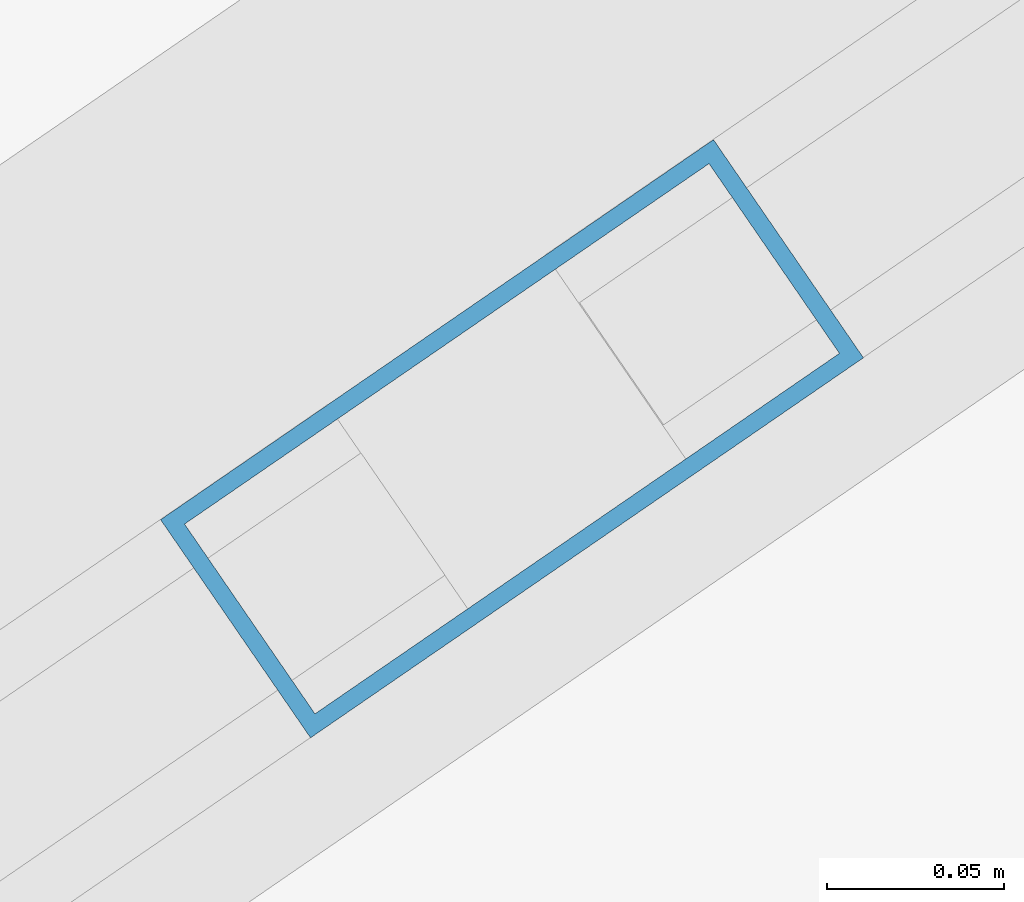
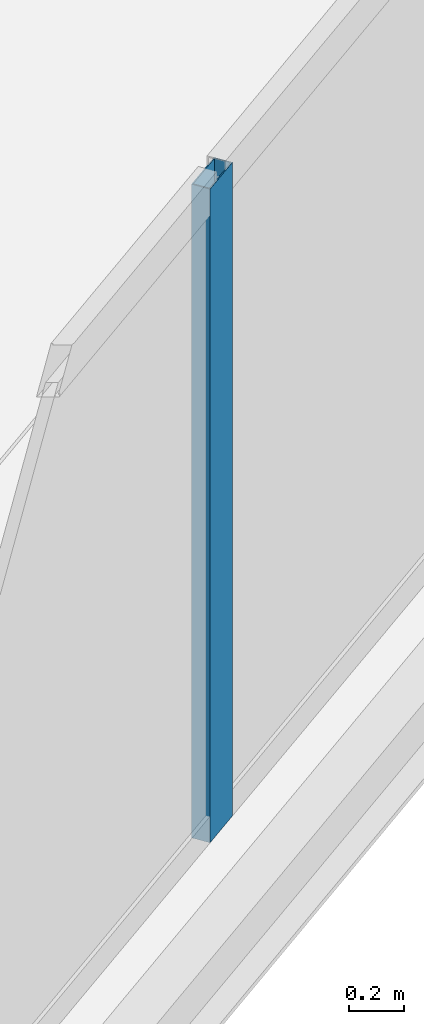
# One storey, part 6 of 29: 1 member, 1 element without a shape of its own.
"""IFC4 building model written with IfcOpenShell, lengths in metres."""

from ifc_helpers import new_model, si_unit, direction, frame, origin, origin_2d, place, context, subcontext, project, spatial, hollow_rectangle, extrude, material, material_profile, profile_set, type_object, element, aggregate, save


model = new_model("IFC4")

# Units and contexts
model_context = context("Model", 3, precision=1e-05, world=origin(), true_north=direction((0.0, 1.0)))
body_context = subcontext(model_context, "Body", "Model", "MODEL_VIEW")
ifc_project = project(units=[si_unit("LENGTHUNIT", "METRE"), si_unit("AREAUNIT", "SQUARE_METRE"), si_unit("VOLUMEUNIT", "CUBIC_METRE"), si_unit("PLANEANGLEUNIT", "RADIAN"), si_unit("MASSUNIT", "GRAM", prefix="KILO")], contexts=[model_context])

# Site, building, storey
site_placement = place(None, origin())
site = spatial("IfcSite", under=ifc_project, at=site_placement, CompositionType="ELEMENT")
building_placement = place(site_placement, origin())
building = spatial("IfcBuilding", under=site, at=building_placement, Name="Haldenkirk Collegiate Tower", CompositionType="ELEMENT")
storey_placement = place(building_placement, frame((0.0, 0.0, 144.449951171875)))
storey = spatial("IfcBuildingStorey", under=building, at=storey_placement, Name="L35", CompositionType="ELEMENT", Elevation=144.449951171875)

# Curtain wall, member
ifc_material = material(Name="Anodised architectural bronze aluminium", Category="aluminium")
curtain_wall_type = type_object("IfcCurtainWallType", Name="CW-SYS2-CONCAVE", PredefinedType="USERDEFINED", material=ifc_material)
curtain_wall_placement = place(storey_placement, origin())
curtain_wall = element("IfcCurtainWall", 1, at=curtain_wall_placement, inside=storey, type_object=curtain_wall_type, Name="L35 South concave recessed bronze-anodised curtain wall", ObjectType="UNITISED CURTAIN WALL", PredefinedType="USERDEFINED")
ifc_material_profile = material_profile(ifc_material, hollow_rectangle(XDim=0.074951171875, YDim=0.18994140625, WallThickness=0.0048828125, at=origin_2d()), Name="CW-MUL-02")
ifc_profile_set = profile_set([ifc_material_profile], Name="Anodised architectural bronze aluminium")
member_type = type_object("IfcMemberType", Name="CW-MUL-02", PredefinedType="MULLION", material=ifc_profile_set)
member_placement = place(storey_placement, frame((41.126953125, 0.620361328125, 0.0), z_axis=(0.0, 0.0, 1.0), x_axis=(0.566404944893, -0.82412707661, 0.0)))
member = element("IfcMember", 2, at=member_placement, type_object=member_type, Name="CW-02 mullion 4", PredefinedType="MULLION", context=body_context, shape_type="SweptSolid", body=[
    extrude(hollow_rectangle(XDim=0.074951171875, YDim=0.18994140625, WallThickness=0.0048828125, at=origin_2d()), origin(), (0.0, 0.0, 1.0), 2.9111328125),
])
aggregate(curtain_wall, [member])

save(model, "model.ifc")
